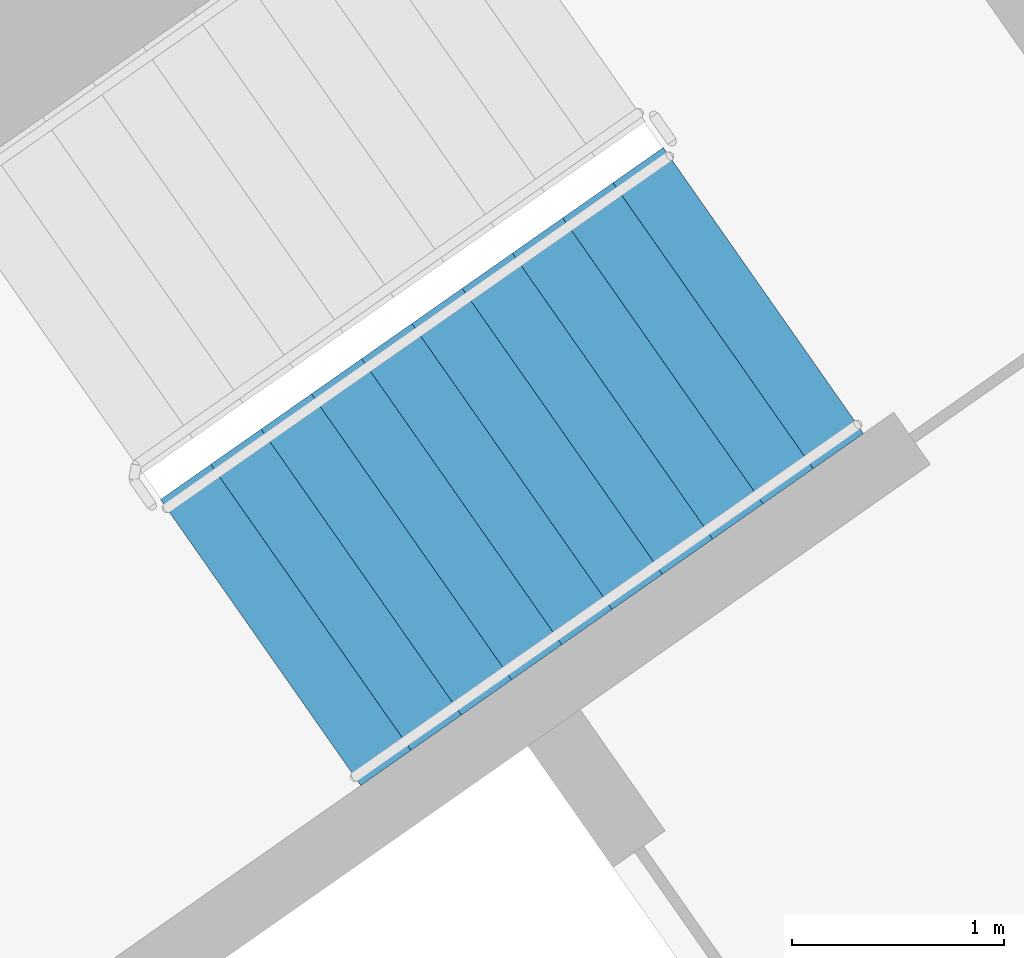
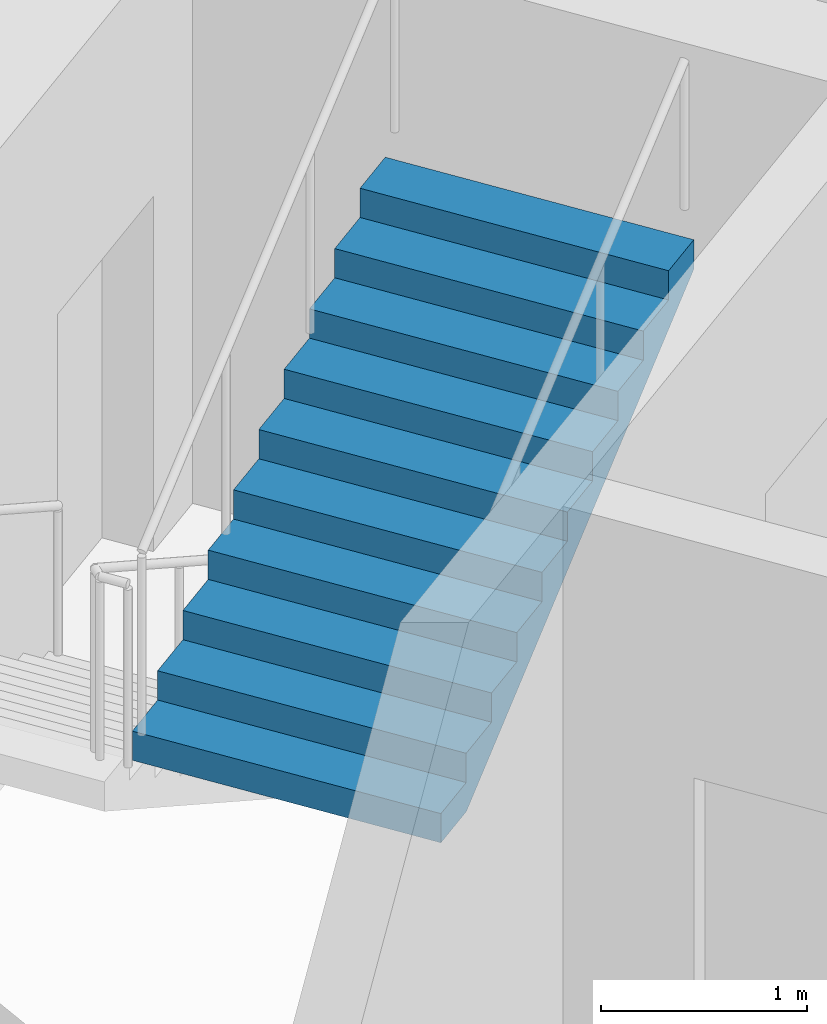
# One storey, part 16 of 28: 1 stair flight, 1 element without a shape of its own.
"""IFC4 building model written with IfcOpenShell, lengths in metres."""

from ifc_helpers import new_model, si_unit, direction, frame, origin, place, context, subcontext, project, spatial, faceted_brep, material, type_object, element, aggregate, save


model = new_model("IFC4")

# Units and contexts
model_context = context("Model", 3, precision=1e-05, world=origin(), true_north=direction((0.0, 1.0)))
body_context = subcontext(model_context, "Body", "Model", "MODEL_VIEW")
ifc_project = project(units=[si_unit("LENGTHUNIT", "METRE"), si_unit("AREAUNIT", "SQUARE_METRE"), si_unit("VOLUMEUNIT", "CUBIC_METRE"), si_unit("PLANEANGLEUNIT", "RADIAN"), si_unit("MASSUNIT", "GRAM", prefix="KILO")], contexts=[model_context])

# Site, building, storey
site_placement = place(None, origin())
site = spatial("IfcSite", under=ifc_project, at=site_placement, CompositionType="ELEMENT")
building_placement = place(site_placement, origin())
building = spatial("IfcBuilding", under=site, at=building_placement, Name="Qamariyya Broadcast Tower", CompositionType="ELEMENT")
storey_placement = place(building_placement, frame((0.0, 0.0, 277.10009765625)))
storey = spatial("IfcBuildingStorey", under=building, at=storey_placement, Name="L67", CompositionType="ELEMENT", Elevation=277.10009765625)

# Stair, stair flight
ifc_material = material(Name="Concrete C50/60", Category="concrete")
stair_type = type_object("IfcStairType", Name="Exit stair 22 risers of 173 mm", PredefinedType="HALF_TURN_STAIR", material=ifc_material)
stair_placement = place(storey_placement, origin())
stair = element("IfcStair", 1, at=stair_placement, inside=storey, type_object=stair_type, Name="L67 Stair E2", PredefinedType="HALF_TURN_STAIR")
stair_flight_type = type_object("IfcStairFlightType", Name="Exit stair flight 11 risers of 173 mm", PredefinedType="STRAIGHT", material=ifc_material)
stair_flight_placement = place(storey_placement, frame((39.215576171875, -50.822998046875, 1.89990234375), z_axis=(0.0, 0.0, 1.0), x_axis=(0.819152044289, 0.573576436351, 0.0)))
stair_flight = element("IfcStairFlight", 2, at=stair_flight_placement, type_object=stair_flight_type, Name="ST-E2 flight 2", NumberOfRisers=11, NumberOfTreads=10, PredefinedType="STRAIGHT", RiserHeight=0.172727273, TreadLength=0.29, context=body_context, shape_type="Brep", body=[
    faceted_brep([(0.0, 0.824951171875, 0.0), (0.0, 0.824951171875, 0.172607421875), (0.2900390625, 0.824951171875, 0.172607421875), (0.2900390625, 0.824951171875, 0.345458984375), (0.580078125, 0.824951171875, 0.345458984375), (0.580078125, 0.824951171875, 0.51806640625), (0.8701171875, 0.824951171875, 0.51806640625), (0.8701171875, 0.824951171875, 0.69091796875), (1.159912109375, 0.824951171875, 0.69091796875), (1.159912109375, 0.824951171875, 0.863525390625), (1.449951171875, 0.824951171875, 0.863525390625), (1.449951171875, 0.824951171875, 1.036376953125), (1.739990234375, 0.824951171875, 1.036376953125), (1.739990234375, 0.824951171875, 1.208984375), (2.030029296875, 0.824951171875, 1.208984375), (2.030029296875, 0.824951171875, 1.3818359375), (2.320068359375, 0.824951171875, 1.3818359375), (2.320068359375, 0.824951171875, 1.554443359375), (2.610107421875, 0.824951171875, 1.554443359375), (2.610107421875, 0.824951171875, 1.727294921875), (2.89990234375, 0.824951171875, 1.727294921875), (2.89990234375, 0.824951171875, 1.552734375), (0.29296875, 0.824951171875, 0.0), (0.29296875, -0.824951171875, 0.0), (2.89990234375, -0.824951171875, 1.552734375), (2.89990234375, -0.824951171875, 1.727294921875), (2.610107421875, -0.824951171875, 1.727294921875), (2.610107421875, -0.824951171875, 1.554443359375), (2.320068359375, -0.824951171875, 1.554443359375), (2.320068359375, -0.824951171875, 1.3818359375), (2.030029296875, -0.824951171875, 1.3818359375), (2.030029296875, -0.824951171875, 1.208984375), (1.739990234375, -0.824951171875, 1.208984375), (1.739990234375, -0.824951171875, 1.036376953125), (1.449951171875, -0.824951171875, 1.036376953125), (1.449951171875, -0.824951171875, 0.863525390625), (1.159912109375, -0.824951171875, 0.863525390625), (1.159912109375, -0.824951171875, 0.69091796875), (0.8701171875, -0.824951171875, 0.69091796875), (0.8701171875, -0.824951171875, 0.51806640625), (0.580078125, -0.824951171875, 0.51806640625), (0.580078125, -0.824951171875, 0.345458984375), (0.2900390625, -0.824951171875, 0.345458984375), (0.2900390625, -0.824951171875, 0.172607421875), (0.0, -0.824951171875, 0.172607421875), (0.0, -0.824951171875, 0.0), (0.0, 0.10009765625, 0.0), (0.0, 0.086669921875, 0.0), (0.0, 0.0732421875, 0.0), (0.0, 0.06005859375, 0.0), (0.0, 0.046630859375, 0.0), (0.0, 0.033447265625, 0.0), (0.0, 0.02001953125, 0.0), (0.0, 0.006591796875, 0.0), (0.0, -0.006591796875, 0.0), (0.0, -0.02001953125, 0.0), (0.0, -0.033447265625, 0.0), (0.0, -0.046630859375, 0.0), (0.0, -0.06005859375, 0.0), (0.0, -0.0732421875, 0.0), (0.0, -0.086669921875, 0.0), (0.0, -0.10009765625, 0.0), (0.0, -0.10009765625, 0.172607421875), (0.0, -0.086669921875, 0.172607421875), (0.0, -0.0732421875, 0.172607421875), (0.0, -0.06005859375, 0.172607421875), (0.0, -0.046630859375, 0.172607421875), (0.0, -0.033447265625, 0.172607421875), (0.0, -0.02001953125, 0.172607421875), (0.0, -0.006591796875, 0.172607421875), (0.0, 0.006591796875, 0.172607421875), (0.0, 0.02001953125, 0.172607421875), (0.0, 0.033447265625, 0.172607421875), (0.0, 0.046630859375, 0.172607421875), (0.0, 0.06005859375, 0.172607421875), (0.0, 0.0732421875, 0.172607421875), (0.0, 0.086669921875, 0.172607421875), (0.0, 0.10009765625, 0.172607421875), (0.2900390625, -0.10009765625, 0.172607421875), (0.2900390625, -0.086669921875, 0.172607421875), (0.2900390625, -0.0732421875, 0.172607421875), (0.2900390625, -0.06005859375, 0.172607421875), (0.2900390625, -0.046630859375, 0.172607421875), (0.2900390625, -0.033447265625, 0.172607421875), (0.2900390625, -0.02001953125, 0.172607421875), (0.2900390625, -0.006591796875, 0.172607421875), (0.2900390625, 0.006591796875, 0.172607421875), (0.2900390625, 0.02001953125, 0.172607421875), (0.2900390625, 0.033447265625, 0.172607421875), (0.2900390625, 0.046630859375, 0.172607421875), (0.2900390625, 0.06005859375, 0.172607421875), (0.2900390625, 0.0732421875, 0.172607421875), (0.2900390625, 0.086669921875, 0.172607421875), (0.2900390625, 0.10009765625, 0.172607421875), (0.2900390625, -0.10009765625, 0.345458984375), (0.2900390625, -0.086669921875, 0.345458984375), (0.2900390625, -0.0732421875, 0.345458984375), (0.2900390625, -0.06005859375, 0.345458984375), (0.2900390625, -0.046630859375, 0.345458984375), (0.2900390625, -0.033447265625, 0.345458984375), (0.2900390625, -0.02001953125, 0.345458984375), (0.2900390625, -0.006591796875, 0.345458984375), (0.2900390625, 0.006591796875, 0.345458984375), (0.2900390625, 0.02001953125, 0.345458984375), (0.2900390625, 0.033447265625, 0.345458984375), (0.2900390625, 0.046630859375, 0.345458984375), (0.2900390625, 0.06005859375, 0.345458984375), (0.2900390625, 0.0732421875, 0.345458984375), (0.2900390625, 0.086669921875, 0.345458984375), (0.2900390625, 0.10009765625, 0.345458984375), (0.580078125, -0.10009765625, 0.345458984375), (0.580078125, -0.086669921875, 0.345458984375), (0.580078125, -0.0732421875, 0.345458984375), (0.580078125, -0.06005859375, 0.345458984375), (0.580078125, -0.046630859375, 0.345458984375), (0.580078125, -0.033447265625, 0.345458984375), (0.580078125, -0.02001953125, 0.345458984375), (0.580078125, -0.006591796875, 0.345458984375), (0.580078125, 0.006591796875, 0.345458984375), (0.580078125, 0.02001953125, 0.345458984375), (0.580078125, 0.033447265625, 0.345458984375), (0.580078125, 0.046630859375, 0.345458984375), (0.580078125, 0.06005859375, 0.345458984375), (0.580078125, 0.0732421875, 0.345458984375), (0.580078125, 0.086669921875, 0.345458984375), (0.580078125, 0.10009765625, 0.345458984375), (0.580078125, -0.10009765625, 0.51806640625), (0.580078125, -0.086669921875, 0.51806640625), (0.580078125, -0.0732421875, 0.51806640625), (0.580078125, -0.06005859375, 0.51806640625), (0.580078125, -0.046630859375, 0.51806640625), (0.580078125, -0.033447265625, 0.51806640625), (0.580078125, -0.02001953125, 0.51806640625), (0.580078125, -0.006591796875, 0.51806640625), (0.580078125, 0.006591796875, 0.51806640625), (0.580078125, 0.02001953125, 0.51806640625), (0.580078125, 0.033447265625, 0.51806640625), (0.580078125, 0.046630859375, 0.51806640625), (0.580078125, 0.06005859375, 0.51806640625), (0.580078125, 0.0732421875, 0.51806640625), (0.580078125, 0.086669921875, 0.51806640625), (0.580078125, 0.10009765625, 0.51806640625), (0.8701171875, -0.10009765625, 0.51806640625), (0.8701171875, -0.086669921875, 0.51806640625), (0.8701171875, -0.0732421875, 0.51806640625), (0.8701171875, -0.06005859375, 0.51806640625), (0.8701171875, -0.046630859375, 0.51806640625), (0.8701171875, -0.033447265625, 0.51806640625), (0.8701171875, -0.02001953125, 0.51806640625), (0.8701171875, -0.006591796875, 0.51806640625), (0.8701171875, 0.006591796875, 0.51806640625), (0.8701171875, 0.02001953125, 0.51806640625), (0.8701171875, 0.033447265625, 0.51806640625), (0.8701171875, 0.046630859375, 0.51806640625), (0.8701171875, 0.06005859375, 0.51806640625), (0.8701171875, 0.0732421875, 0.51806640625), (0.8701171875, 0.086669921875, 0.51806640625), (0.8701171875, 0.10009765625, 0.51806640625), (0.8701171875, -0.10009765625, 0.69091796875), (0.8701171875, -0.086669921875, 0.69091796875), (0.8701171875, -0.0732421875, 0.69091796875), (0.8701171875, -0.06005859375, 0.69091796875), (0.8701171875, -0.046630859375, 0.69091796875), (0.8701171875, -0.033447265625, 0.69091796875), (0.8701171875, -0.02001953125, 0.69091796875), (0.8701171875, -0.006591796875, 0.69091796875), (0.8701171875, 0.006591796875, 0.69091796875), (0.8701171875, 0.02001953125, 0.69091796875), (0.8701171875, 0.033447265625, 0.69091796875), (0.8701171875, 0.046630859375, 0.69091796875), (0.8701171875, 0.06005859375, 0.69091796875), (0.8701171875, 0.0732421875, 0.69091796875), (0.8701171875, 0.086669921875, 0.69091796875), (0.8701171875, 0.10009765625, 0.69091796875), (1.159912109375, -0.10009765625, 0.69091796875), (1.159912109375, -0.086669921875, 0.69091796875), (1.159912109375, -0.0732421875, 0.69091796875), (1.159912109375, -0.06005859375, 0.69091796875), (1.159912109375, -0.046630859375, 0.69091796875), (1.159912109375, -0.033447265625, 0.69091796875), (1.159912109375, -0.02001953125, 0.69091796875), (1.159912109375, -0.006591796875, 0.69091796875), (1.159912109375, 0.006591796875, 0.69091796875), (1.159912109375, 0.02001953125, 0.69091796875), (1.159912109375, 0.033447265625, 0.69091796875), (1.159912109375, 0.046630859375, 0.69091796875), (1.159912109375, 0.06005859375, 0.69091796875), (1.159912109375, 0.0732421875, 0.69091796875), (1.159912109375, 0.086669921875, 0.69091796875), (1.159912109375, 0.10009765625, 0.69091796875), (1.159912109375, -0.10009765625, 0.863525390625), (1.159912109375, -0.086669921875, 0.863525390625), (1.159912109375, -0.0732421875, 0.863525390625), (1.159912109375, -0.06005859375, 0.863525390625), (1.159912109375, -0.046630859375, 0.863525390625), (1.159912109375, -0.033447265625, 0.863525390625), (1.159912109375, -0.02001953125, 0.863525390625), (1.159912109375, -0.006591796875, 0.863525390625), (1.159912109375, 0.006591796875, 0.863525390625), (1.159912109375, 0.02001953125, 0.863525390625), (1.159912109375, 0.033447265625, 0.863525390625), (1.159912109375, 0.046630859375, 0.863525390625), (1.159912109375, 0.06005859375, 0.863525390625), (1.159912109375, 0.0732421875, 0.863525390625), (1.159912109375, 0.086669921875, 0.863525390625), (1.159912109375, 0.10009765625, 0.863525390625), (1.449951171875, -0.10009765625, 0.863525390625), (1.449951171875, -0.086669921875, 0.863525390625), (1.449951171875, -0.0732421875, 0.863525390625), (1.449951171875, -0.06005859375, 0.863525390625), (1.449951171875, -0.046630859375, 0.863525390625), (1.449951171875, -0.033447265625, 0.863525390625), (1.449951171875, -0.02001953125, 0.863525390625), (1.449951171875, -0.006591796875, 0.863525390625), (1.449951171875, 0.006591796875, 0.863525390625), (1.449951171875, 0.02001953125, 0.863525390625), (1.449951171875, 0.033447265625, 0.863525390625), (1.449951171875, 0.046630859375, 0.863525390625), (1.449951171875, 0.06005859375, 0.863525390625), (1.449951171875, 0.0732421875, 0.863525390625), (1.449951171875, 0.086669921875, 0.863525390625), (1.449951171875, 0.10009765625, 0.863525390625), (1.449951171875, -0.10009765625, 1.036376953125), (1.449951171875, -0.086669921875, 1.036376953125), (1.449951171875, -0.0732421875, 1.036376953125), (1.449951171875, -0.06005859375, 1.036376953125), (1.449951171875, -0.046630859375, 1.036376953125), (1.449951171875, -0.033447265625, 1.036376953125), (1.449951171875, -0.02001953125, 1.036376953125), (1.449951171875, -0.006591796875, 1.036376953125), (1.449951171875, 0.006591796875, 1.036376953125), (1.449951171875, 0.02001953125, 1.036376953125), (1.449951171875, 0.033447265625, 1.036376953125), (1.449951171875, 0.046630859375, 1.036376953125), (1.449951171875, 0.06005859375, 1.036376953125), (1.449951171875, 0.0732421875, 1.036376953125), (1.449951171875, 0.086669921875, 1.036376953125), (1.449951171875, 0.10009765625, 1.036376953125), (1.739990234375, -0.10009765625, 1.036376953125), (1.739990234375, -0.086669921875, 1.036376953125), (1.739990234375, -0.0732421875, 1.036376953125), (1.739990234375, -0.06005859375, 1.036376953125), (1.739990234375, -0.046630859375, 1.036376953125), (1.739990234375, -0.033447265625, 1.036376953125), (1.739990234375, -0.02001953125, 1.036376953125), (1.739990234375, -0.006591796875, 1.036376953125), (1.739990234375, 0.006591796875, 1.036376953125), (1.739990234375, 0.02001953125, 1.036376953125), (1.739990234375, 0.033447265625, 1.036376953125), (1.739990234375, 0.046630859375, 1.036376953125), (1.739990234375, 0.06005859375, 1.036376953125), (1.739990234375, 0.0732421875, 1.036376953125), (1.739990234375, 0.086669921875, 1.036376953125), (1.739990234375, 0.10009765625, 1.036376953125), (1.739990234375, -0.10009765625, 1.208984375), (1.739990234375, -0.086669921875, 1.208984375), (1.739990234375, -0.0732421875, 1.208984375), (1.739990234375, -0.06005859375, 1.208984375), (1.739990234375, -0.046630859375, 1.208984375), (1.739990234375, -0.033447265625, 1.208984375), (1.739990234375, -0.02001953125, 1.208984375), (1.739990234375, -0.006591796875, 1.208984375), (1.739990234375, 0.006591796875, 1.208984375), (1.739990234375, 0.02001953125, 1.208984375), (1.739990234375, 0.033447265625, 1.208984375), (1.739990234375, 0.046630859375, 1.208984375), (1.739990234375, 0.06005859375, 1.208984375), (1.739990234375, 0.0732421875, 1.208984375), (1.739990234375, 0.086669921875, 1.208984375), (1.739990234375, 0.10009765625, 1.208984375), (2.030029296875, -0.10009765625, 1.208984375), (2.030029296875, -0.086669921875, 1.208984375), (2.030029296875, -0.0732421875, 1.208984375), (2.030029296875, -0.06005859375, 1.208984375), (2.030029296875, -0.046630859375, 1.208984375), (2.030029296875, -0.033447265625, 1.208984375), (2.030029296875, -0.02001953125, 1.208984375), (2.030029296875, -0.006591796875, 1.208984375), (2.030029296875, 0.006591796875, 1.208984375), (2.030029296875, 0.02001953125, 1.208984375), (2.030029296875, 0.033447265625, 1.208984375), (2.030029296875, 0.046630859375, 1.208984375), (2.030029296875, 0.06005859375, 1.208984375), (2.030029296875, 0.0732421875, 1.208984375), (2.030029296875, 0.086669921875, 1.208984375), (2.030029296875, 0.10009765625, 1.208984375), (2.030029296875, -0.10009765625, 1.3818359375), (2.030029296875, -0.086669921875, 1.3818359375), (2.030029296875, -0.0732421875, 1.3818359375), (2.030029296875, -0.06005859375, 1.3818359375), (2.030029296875, -0.046630859375, 1.3818359375), (2.030029296875, -0.033447265625, 1.3818359375), (2.030029296875, -0.02001953125, 1.3818359375), (2.030029296875, -0.006591796875, 1.3818359375), (2.030029296875, 0.006591796875, 1.3818359375), (2.030029296875, 0.02001953125, 1.3818359375), (2.030029296875, 0.033447265625, 1.3818359375), (2.030029296875, 0.046630859375, 1.3818359375), (2.030029296875, 0.06005859375, 1.3818359375), (2.030029296875, 0.0732421875, 1.3818359375), (2.030029296875, 0.086669921875, 1.3818359375), (2.030029296875, 0.10009765625, 1.3818359375), (2.320068359375, -0.10009765625, 1.3818359375), (2.320068359375, -0.086669921875, 1.3818359375), (2.320068359375, -0.0732421875, 1.3818359375), (2.320068359375, -0.06005859375, 1.3818359375), (2.320068359375, -0.046630859375, 1.3818359375), (2.320068359375, -0.033447265625, 1.3818359375), (2.320068359375, -0.02001953125, 1.3818359375), (2.320068359375, -0.006591796875, 1.3818359375), (2.320068359375, 0.006591796875, 1.3818359375), (2.320068359375, 0.02001953125, 1.3818359375), (2.320068359375, 0.033447265625, 1.3818359375), (2.320068359375, 0.046630859375, 1.3818359375), (2.320068359375, 0.06005859375, 1.3818359375), (2.320068359375, 0.0732421875, 1.3818359375), (2.320068359375, 0.086669921875, 1.3818359375), (2.320068359375, 0.10009765625, 1.3818359375), (2.320068359375, -0.10009765625, 1.554443359375), (2.320068359375, -0.086669921875, 1.554443359375), (2.320068359375, -0.0732421875, 1.554443359375), (2.320068359375, -0.06005859375, 1.554443359375), (2.320068359375, -0.046630859375, 1.554443359375), (2.320068359375, -0.033447265625, 1.554443359375), (2.320068359375, -0.02001953125, 1.554443359375), (2.320068359375, -0.006591796875, 1.554443359375), (2.320068359375, 0.006591796875, 1.554443359375), (2.320068359375, 0.02001953125, 1.554443359375), (2.320068359375, 0.033447265625, 1.554443359375), (2.320068359375, 0.046630859375, 1.554443359375), (2.320068359375, 0.06005859375, 1.554443359375), (2.320068359375, 0.0732421875, 1.554443359375), (2.320068359375, 0.086669921875, 1.554443359375), (2.320068359375, 0.10009765625, 1.554443359375), (2.610107421875, -0.10009765625, 1.554443359375), (2.610107421875, -0.086669921875, 1.554443359375), (2.610107421875, -0.0732421875, 1.554443359375), (2.610107421875, -0.06005859375, 1.554443359375), (2.610107421875, -0.046630859375, 1.554443359375), (2.610107421875, -0.033447265625, 1.554443359375), (2.610107421875, -0.02001953125, 1.554443359375), (2.610107421875, -0.006591796875, 1.554443359375), (2.610107421875, 0.006591796875, 1.554443359375), (2.610107421875, 0.02001953125, 1.554443359375), (2.610107421875, 0.033447265625, 1.554443359375), (2.610107421875, 0.046630859375, 1.554443359375), (2.610107421875, 0.06005859375, 1.554443359375), (2.610107421875, 0.0732421875, 1.554443359375), (2.610107421875, 0.086669921875, 1.554443359375), (2.610107421875, 0.10009765625, 1.554443359375), (2.610107421875, -0.10009765625, 1.727294921875), (2.610107421875, -0.086669921875, 1.727294921875), (2.610107421875, -0.0732421875, 1.727294921875), (2.610107421875, -0.06005859375, 1.727294921875), (2.610107421875, -0.046630859375, 1.727294921875), (2.610107421875, -0.033447265625, 1.727294921875), (2.610107421875, -0.02001953125, 1.727294921875), (2.610107421875, -0.006591796875, 1.727294921875), (2.610107421875, 0.006591796875, 1.727294921875), (2.610107421875, 0.02001953125, 1.727294921875), (2.610107421875, 0.033447265625, 1.727294921875), (2.610107421875, 0.046630859375, 1.727294921875), (2.610107421875, 0.06005859375, 1.727294921875), (2.610107421875, 0.0732421875, 1.727294921875), (2.610107421875, 0.086669921875, 1.727294921875), (2.610107421875, 0.10009765625, 1.727294921875), (2.89990234375, -0.10009765625, 1.727294921875), (2.89990234375, -0.086669921875, 1.727294921875), (2.89990234375, -0.0732421875, 1.727294921875), (2.89990234375, -0.06005859375, 1.727294921875), (2.89990234375, -0.046630859375, 1.727294921875), (2.89990234375, -0.033447265625, 1.727294921875), (2.89990234375, -0.02001953125, 1.727294921875), (2.89990234375, -0.006591796875, 1.727294921875), (2.89990234375, 0.006591796875, 1.727294921875), (2.89990234375, 0.02001953125, 1.727294921875), (2.89990234375, 0.033447265625, 1.727294921875), (2.89990234375, 0.046630859375, 1.727294921875), (2.89990234375, 0.06005859375, 1.727294921875), (2.89990234375, 0.0732421875, 1.727294921875), (2.89990234375, 0.086669921875, 1.727294921875), (2.89990234375, 0.10009765625, 1.727294921875), (2.89990234375, -0.10009765625, 1.552734375), (2.89990234375, -0.086669921875, 1.552734375), (2.89990234375, -0.0732421875, 1.552734375), (2.89990234375, -0.06005859375, 1.552734375), (2.89990234375, -0.046630859375, 1.552734375), (2.89990234375, -0.033447265625, 1.552734375), (2.89990234375, -0.02001953125, 1.552734375), (2.89990234375, -0.006591796875, 1.552734375), (2.89990234375, 0.006591796875, 1.552734375), (2.89990234375, 0.02001953125, 1.552734375), (2.89990234375, 0.033447265625, 1.552734375), (2.89990234375, 0.046630859375, 1.552734375), (2.89990234375, 0.06005859375, 1.552734375), (2.89990234375, 0.0732421875, 1.552734375), (2.89990234375, 0.086669921875, 1.552734375), (2.89990234375, 0.10009765625, 1.552734375), (0.29296875, -0.10009765625, 0.0), (0.29296875, -0.086669921875, 0.0), (0.29296875, -0.0732421875, 0.0), (0.29296875, -0.06005859375, 0.0), (0.29296875, -0.046630859375, 0.0), (0.29296875, -0.033447265625, 0.0), (0.29296875, -0.02001953125, 0.0), (0.29296875, -0.006591796875, 0.0), (0.29296875, 0.006591796875, 0.0), (0.29296875, 0.02001953125, 0.0), (0.29296875, 0.033447265625, 0.0), (0.29296875, 0.046630859375, 0.0), (0.29296875, 0.06005859375, 0.0), (0.29296875, 0.0732421875, 0.0), (0.29296875, 0.086669921875, 0.0), (0.29296875, 0.10009765625, 0.0)], [[[0, 1, 2, 3, 4, 5, 6, 7, 8, 9, 10, 11, 12, 13, 14, 15, 16, 17, 18, 19, 20, 21, 22]], [[23, 24, 25, 26, 27, 28, 29, 30, 31, 32, 33, 34, 35, 36, 37, 38, 39, 40, 41, 42, 43, 44, 45]], [[0, 46, 47, 48, 49, 50, 51, 52, 53, 54, 55, 56, 57, 58, 59, 60, 61, 45, 44, 62, 63, 64, 65, 66, 67, 68, 69, 70, 71, 72, 73, 74, 75, 76, 77, 1]], [[1, 77, 76, 75, 74, 73, 72, 71, 70, 69, 68, 67, 66, 65, 64, 63, 62, 44, 43, 78, 79, 80, 81, 82, 83, 84, 85, 86, 87, 88, 89, 90, 91, 92, 93, 2]], [[2, 93, 92, 91, 90, 89, 88, 87, 86, 85, 84, 83, 82, 81, 80, 79, 78, 43, 42, 94, 95, 96, 97, 98, 99, 100, 101, 102, 103, 104, 105, 106, 107, 108, 109, 3]], [[3, 109, 108, 107, 106, 105, 104, 103, 102, 101, 100, 99, 98, 97, 96, 95, 94, 42, 41, 110, 111, 112, 113, 114, 115, 116, 117, 118, 119, 120, 121, 122, 123, 124, 125, 4]], [[4, 125, 124, 123, 122, 121, 120, 119, 118, 117, 116, 115, 114, 113, 112, 111, 110, 41, 40, 126, 127, 128, 129, 130, 131, 132, 133, 134, 135, 136, 137, 138, 139, 140, 141, 5]], [[5, 141, 140, 139, 138, 137, 136, 135, 134, 133, 132, 131, 130, 129, 128, 127, 126, 40, 39, 142, 143, 144, 145, 146, 147, 148, 149, 150, 151, 152, 153, 154, 155, 156, 157, 6]], [[6, 157, 156, 155, 154, 153, 152, 151, 150, 149, 148, 147, 146, 145, 144, 143, 142, 39, 38, 158, 159, 160, 161, 162, 163, 164, 165, 166, 167, 168, 169, 170, 171, 172, 173, 7]], [[7, 173, 172, 171, 170, 169, 168, 167, 166, 165, 164, 163, 162, 161, 160, 159, 158, 38, 37, 174, 175, 176, 177, 178, 179, 180, 181, 182, 183, 184, 185, 186, 187, 188, 189, 8]], [[8, 189, 188, 187, 186, 185, 184, 183, 182, 181, 180, 179, 178, 177, 176, 175, 174, 37, 36, 190, 191, 192, 193, 194, 195, 196, 197, 198, 199, 200, 201, 202, 203, 204, 205, 9]], [[9, 205, 204, 203, 202, 201, 200, 199, 198, 197, 196, 195, 194, 193, 192, 191, 190, 36, 35, 206, 207, 208, 209, 210, 211, 212, 213, 214, 215, 216, 217, 218, 219, 220, 221, 10]], [[10, 221, 220, 219, 218, 217, 216, 215, 214, 213, 212, 211, 210, 209, 208, 207, 206, 35, 34, 222, 223, 224, 225, 226, 227, 228, 229, 230, 231, 232, 233, 234, 235, 236, 237, 11]], [[11, 237, 236, 235, 234, 233, 232, 231, 230, 229, 228, 227, 226, 225, 224, 223, 222, 34, 33, 238, 239, 240, 241, 242, 243, 244, 245, 246, 247, 248, 249, 250, 251, 252, 253, 12]], [[12, 253, 252, 251, 250, 249, 248, 247, 246, 245, 244, 243, 242, 241, 240, 239, 238, 33, 32, 254, 255, 256, 257, 258, 259, 260, 261, 262, 263, 264, 265, 266, 267, 268, 269, 13]], [[13, 269, 268, 267, 266, 265, 264, 263, 262, 261, 260, 259, 258, 257, 256, 255, 254, 32, 31, 270, 271, 272, 273, 274, 275, 276, 277, 278, 279, 280, 281, 282, 283, 284, 285, 14]], [[14, 285, 284, 283, 282, 281, 280, 279, 278, 277, 276, 275, 274, 273, 272, 271, 270, 31, 30, 286, 287, 288, 289, 290, 291, 292, 293, 294, 295, 296, 297, 298, 299, 300, 301, 15]], [[15, 301, 300, 299, 298, 297, 296, 295, 294, 293, 292, 291, 290, 289, 288, 287, 286, 30, 29, 302, 303, 304, 305, 306, 307, 308, 309, 310, 311, 312, 313, 314, 315, 316, 317, 16]], [[16, 317, 316, 315, 314, 313, 312, 311, 310, 309, 308, 307, 306, 305, 304, 303, 302, 29, 28, 318, 319, 320, 321, 322, 323, 324, 325, 326, 327, 328, 329, 330, 331, 332, 333, 17]], [[17, 333, 332, 331, 330, 329, 328, 327, 326, 325, 324, 323, 322, 321, 320, 319, 318, 28, 27, 334, 335, 336, 337, 338, 339, 340, 341, 342, 343, 344, 345, 346, 347, 348, 349, 18]], [[18, 349, 348, 347, 346, 345, 344, 343, 342, 341, 340, 339, 338, 337, 336, 335, 334, 27, 26, 350, 351, 352, 353, 354, 355, 356, 357, 358, 359, 360, 361, 362, 363, 364, 365, 19]], [[19, 365, 364, 363, 362, 361, 360, 359, 358, 357, 356, 355, 354, 353, 352, 351, 350, 26, 25, 366, 367, 368, 369, 370, 371, 372, 373, 374, 375, 376, 377, 378, 379, 380, 381, 20]], [[20, 381, 380, 379, 378, 377, 376, 375, 374, 373, 372, 371, 370, 369, 368, 367, 366, 25, 24, 382, 383, 384, 385, 386, 387, 388, 389, 390, 391, 392, 393, 394, 395, 396, 397, 21]], [[21, 397, 396, 395, 394, 393, 392, 391, 390, 389, 388, 387, 386, 385, 384, 383, 382, 24, 23, 398, 399, 400, 401, 402, 403, 404, 405, 406, 407, 408, 409, 410, 411, 412, 413, 22]], [[22, 413, 412, 411, 410, 409, 408, 407, 406, 405, 404, 403, 402, 401, 400, 399, 398, 23, 45, 61, 60, 59, 58, 57, 56, 55, 54, 53, 52, 51, 50, 49, 48, 47, 46, 0]]]),
])
aggregate(stair, [stair_flight])

save(model, "model.ifc")
